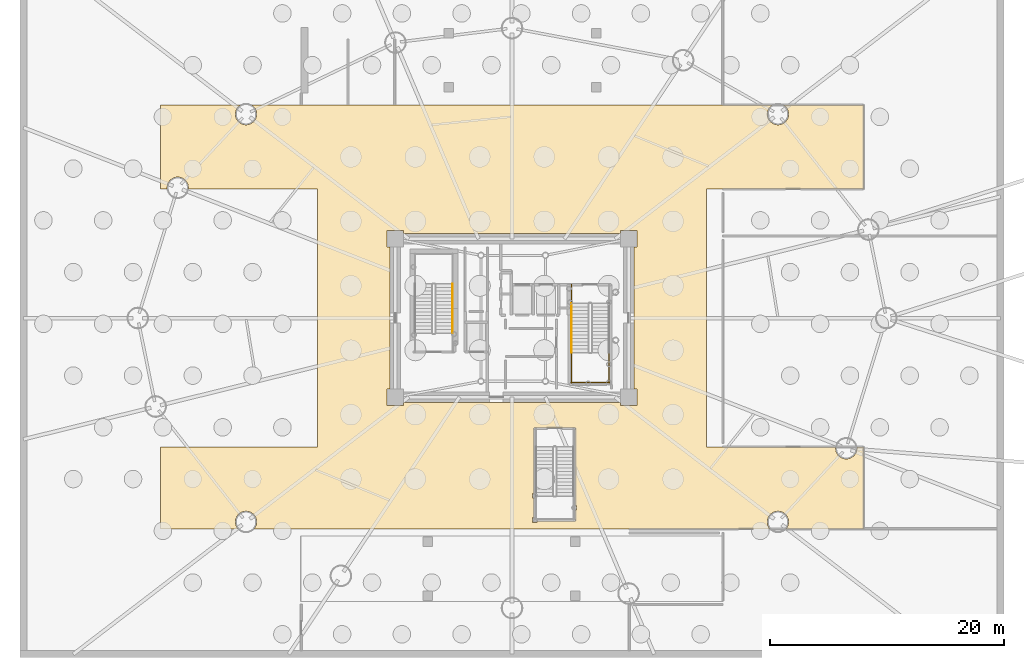
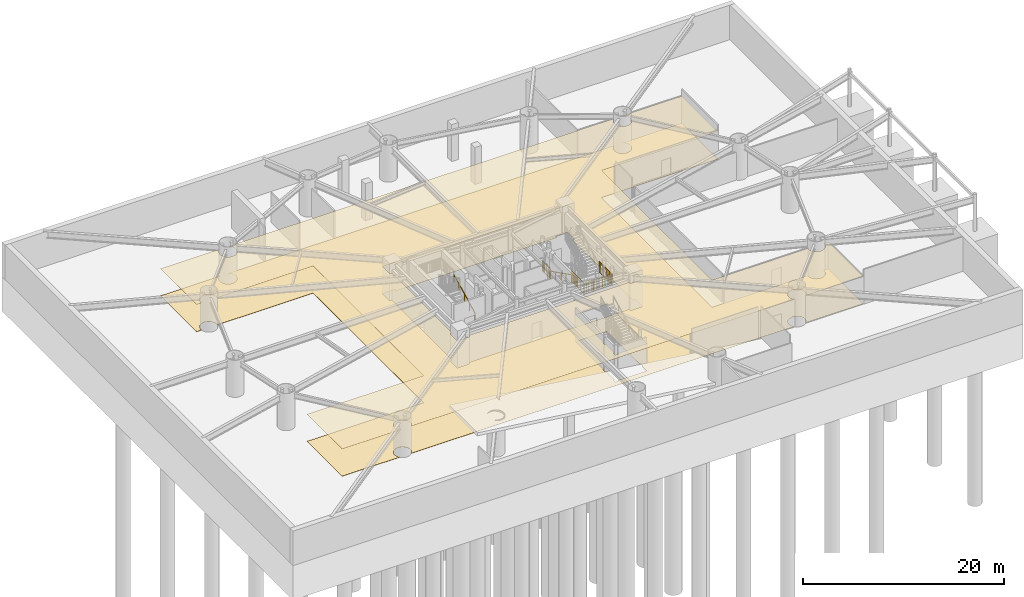
# One storey, part 15 of 18: 6 railings, 2 coverings.
"""IFC4 building model written with IfcOpenShell, lengths in metres."""

from ifc_helpers import new_model, si_unit, direction, frame, origin, origin_2d, place, context, subcontext, project, spatial, polyline, rectangle, outline, extrude, source, transform, mapped, material, layer, layer_set, type_object, element, save


model = new_model("IFC4")

# Units and contexts
model_context = context("Model", 3, precision=1e-05, world=origin(), true_north=direction((0.0, 1.0)))
body_context = subcontext(model_context, "Body", "Model", "MODEL_VIEW")
ifc_project = project(units=[si_unit("LENGTHUNIT", "METRE"), si_unit("AREAUNIT", "SQUARE_METRE"), si_unit("VOLUMEUNIT", "CUBIC_METRE"), si_unit("PLANEANGLEUNIT", "RADIAN"), si_unit("MASSUNIT", "GRAM", prefix="KILO")], contexts=[model_context])

# Site, building, storey
site_placement = place(None, origin())
site = spatial("IfcSite", under=ifc_project, at=site_placement, CompositionType="ELEMENT")
building_placement = place(site_placement, origin())
building = spatial("IfcBuilding", under=site, at=building_placement, Name="Linh Dai School and Residence Tower", CompositionType="ELEMENT")
storey_placement = place(building_placement, frame((0.0, 0.0, -9.0)))
storey = spatial("IfcBuildingStorey", under=building, at=storey_placement, Name="B02", CompositionType="ELEMENT", Elevation=-9.0)

# Coverings
ifc_material_1 = material(Name="Mineral Fibre Acoustic Suspended Ceiling", Category="masonry")
ifc_layer_1 = layer(ifc_material_1, 0.02001953125)
ifc_layer_set_1 = layer_set([ifc_layer_1], Name="Mineral Fibre Acoustic Suspended Ceiling")
covering_type_1 = type_object("IfcCoveringType", Name="COV-CEIL-AC-20", PredefinedType="CEILING", material=ifc_layer_set_1)
covering_1_placement = place(storey_placement, frame((0.0, 0.0, 3.300048828125)))
element("IfcCovering", 1, at=covering_1_placement, inside=storey, type_object=covering_type_1, Name="B02 Two-Way Basement Car Park Drive Aisle and Parking Loop Suspended Ceiling", PredefinedType="CEILING", context=body_context, shape_type="SweptSolid", body=[
    extrude(outline(polyline([(12.851318359375, 45.199951171875), (12.64990234375, 45.04541015625), (12.5048828125, 44.856689453125), (12.413818359375, 44.63671875), (12.3828125, 44.400634765625), (12.413818359375, 44.16455078125), (12.5048828125, 43.944580078125), (12.64990234375, 43.755859375), (12.8388671875, 43.61083984375), (13.05859375, 43.519775390625), (13.294921875, 43.488525390625), (13.53076171875, 43.519775390625), (13.750732421875, 43.61083984375), (13.939697265625, 43.755859375), (14.084716796875, 43.944580078125), (14.17578125, 44.16455078125), (14.206787109375, 44.400634765625), (14.17578125, 44.63671875), (14.084716796875, 44.856689453125), (13.939697265625, 45.04541015625), (13.73828125, 45.199951171875), (58.26171875, 45.199951171875), (58.060302734375, 45.04541015625), (57.915283203125, 44.856689453125), (57.82421875, 44.63671875), (57.793212890625, 44.400634765625), (57.82421875, 44.16455078125), (57.915283203125, 43.944580078125), (58.060302734375, 43.755859375), (58.249267578125, 43.61083984375), (58.46923828125, 43.519775390625), (58.705078125, 43.488525390625), (58.94140625, 43.519775390625), (59.1611328125, 43.61083984375), (59.35009765625, 43.755859375), (59.4951171875, 43.944580078125), (59.586181640625, 44.16455078125), (59.6171875, 44.400634765625), (59.586181640625, 44.63671875), (59.4951171875, 44.856689453125), (59.35009765625, 45.04541015625), (59.148681640625, 45.199951171875), (66.0, 45.199951171875), (66.0, 38.0), (52.60009765625, 38.0), (52.60009765625, 16.0), (63.6376953125, 16.0), (63.62158203125, 15.8779296875), (63.652587890625, 15.641845703125), (63.743896484375, 15.421875), (63.888916015625, 15.233154296875), (64.07763671875, 15.088134765625), (64.297607421875, 14.9970703125), (64.53369140625, 14.9658203125), (64.769775390625, 14.9970703125), (64.98974609375, 15.088134765625), (65.178466796875, 15.233154296875), (65.323486328125, 15.421875), (65.41455078125, 15.641845703125), (65.44580078125, 15.8779296875), (65.4296875, 16.0), (66.0, 16.0), (66.0, 9.0), (59.385009765625, 9.0), (59.4951171875, 9.143310546875), (59.586181640625, 9.36328125), (59.6171875, 9.599365234375), (59.586181640625, 9.83544921875), (59.4951171875, 10.055419921875), (59.35009765625, 10.244140625), (59.1611328125, 10.38916015625), (58.94140625, 10.480224609375), (58.705078125, 10.511474609375), (58.46923828125, 10.480224609375), (58.249267578125, 10.38916015625), (58.060302734375, 10.244140625), (57.915283203125, 10.055419921875), (57.82421875, 9.83544921875), (57.793212890625, 9.599365234375), (57.82421875, 9.36328125), (57.915283203125, 9.143310546875), (58.025390625, 9.0), (13.974609375, 9.0), (14.084716796875, 9.143310546875), (14.17578125, 9.36328125), (14.206787109375, 9.599365234375), (14.17578125, 9.83544921875), (14.084716796875, 10.055419921875), (13.939697265625, 10.244140625), (13.750732421875, 10.38916015625), (13.53076171875, 10.480224609375), (13.294921875, 10.511474609375), (13.05859375, 10.480224609375), (12.8388671875, 10.38916015625), (12.64990234375, 10.244140625), (12.5048828125, 10.055419921875), (12.413818359375, 9.83544921875), (12.3828125, 9.599365234375), (12.413818359375, 9.36328125), (12.5048828125, 9.143310546875), (12.614990234375, 9.0), (6.0, 9.0), (6.0, 16.0), (19.39990234375, 16.0), (19.39990234375, 38.0), (8.3623046875, 38.0), (8.37841796875, 38.1220703125), (8.347412109375, 38.358154296875), (8.256103515625, 38.578125), (8.111083984375, 38.766845703125), (7.92236328125, 38.911865234375), (7.702392578125, 39.0029296875), (7.46630859375, 39.0341796875), (7.230224609375, 39.0029296875), (7.01025390625, 38.911865234375), (6.821533203125, 38.766845703125), (6.676513671875, 38.578125), (6.58544921875, 38.358154296875), (6.55419921875, 38.1220703125), (6.5703125, 38.0), (6.0, 38.0), (6.0, 45.199951171875), (12.851318359375, 45.199951171875)]), holes=[polyline([(45.25, 19.800048828125), (45.25, 19.550048828125), (46.64990234375, 19.550048828125), (46.64990234375, 20.949951171875), (46.39990234375, 20.949951171875), (46.39990234375, 33.050048828125), (46.64990234375, 33.050048828125), (46.64990234375, 34.449951171875), (45.25, 34.449951171875), (45.25, 34.199951171875), (26.75, 34.199951171875), (26.75, 34.449951171875), (25.35009765625, 34.449951171875), (25.35009765625, 33.050048828125), (25.60009765625, 33.050048828125), (25.60009765625, 20.949951171875), (25.35009765625, 20.949951171875), (25.35009765625, 19.550048828125), (26.75, 19.550048828125), (26.75, 19.800048828125), (45.25, 19.800048828125)]), polyline([(37.8798828125, 17.60009765625), (37.8798828125, 12.023193359375), (37.746826171875, 12.023193359375), (37.746826171875, 11.61669921875), (37.8798828125, 11.61669921875), (37.8798828125, 9.953125), (37.746826171875, 9.953125), (37.746826171875, 9.546875), (38.1533203125, 9.546875), (38.1533203125, 9.679931640625), (41.419921875, 9.679931640625), (41.419921875, 10.5966796875), (41.523193359375, 10.5966796875), (41.523193359375, 11.003173828125), (41.419921875, 11.003173828125), (41.419921875, 17.60009765625), (37.8798828125, 17.60009765625)])]), origin(), (0.0, 0.0, 1.0), 0.02001953125),
])
ifc_material_2 = material(Name="Polished Terrazzo Floor Finish", Category="masonry")
ifc_layer_2 = layer(ifc_material_2, 0.02490234375)
ifc_layer_set_2 = layer_set([ifc_layer_2], Name="Polished Terrazzo Floor Finish")
covering_type_2 = type_object("IfcCoveringType", Name="COV-FLR-TRZ-25", PredefinedType="FLOORING", material=ifc_layer_set_2)
covering_2_placement = place(storey_placement, origin())
element("IfcCovering", 2, at=covering_2_placement, inside=storey, type_object=covering_type_2, Name="B02 Two-Way Basement Car Park Drive Aisle and Parking Loop Floor Finish", PredefinedType="FLOORING", context=body_context, shape_type="SweptSolid", body=[
    extrude(outline(polyline([(12.851318359375, 45.199951171875), (12.64990234375, 45.04541015625), (12.5048828125, 44.856689453125), (12.413818359375, 44.63671875), (12.3828125, 44.400634765625), (12.413818359375, 44.16455078125), (12.5048828125, 43.944580078125), (12.64990234375, 43.755859375), (12.8388671875, 43.61083984375), (13.05859375, 43.519775390625), (13.294921875, 43.488525390625), (13.53076171875, 43.519775390625), (13.750732421875, 43.61083984375), (13.939697265625, 43.755859375), (14.084716796875, 43.944580078125), (14.17578125, 44.16455078125), (14.206787109375, 44.400634765625), (14.17578125, 44.63671875), (14.084716796875, 44.856689453125), (13.939697265625, 45.04541015625), (13.73828125, 45.199951171875), (58.26171875, 45.199951171875), (58.060302734375, 45.04541015625), (57.915283203125, 44.856689453125), (57.82421875, 44.63671875), (57.793212890625, 44.400634765625), (57.82421875, 44.16455078125), (57.915283203125, 43.944580078125), (58.060302734375, 43.755859375), (58.249267578125, 43.61083984375), (58.46923828125, 43.519775390625), (58.705078125, 43.488525390625), (58.94140625, 43.519775390625), (59.1611328125, 43.61083984375), (59.35009765625, 43.755859375), (59.4951171875, 43.944580078125), (59.586181640625, 44.16455078125), (59.6171875, 44.400634765625), (59.586181640625, 44.63671875), (59.4951171875, 44.856689453125), (59.35009765625, 45.04541015625), (59.148681640625, 45.199951171875), (66.0, 45.199951171875), (66.0, 38.0), (52.60009765625, 38.0), (52.60009765625, 16.0), (63.6376953125, 16.0), (63.62158203125, 15.8779296875), (63.652587890625, 15.641845703125), (63.743896484375, 15.421875), (63.888916015625, 15.233154296875), (64.07763671875, 15.088134765625), (64.297607421875, 14.9970703125), (64.53369140625, 14.9658203125), (64.769775390625, 14.9970703125), (64.98974609375, 15.088134765625), (65.178466796875, 15.233154296875), (65.323486328125, 15.421875), (65.41455078125, 15.641845703125), (65.44580078125, 15.8779296875), (65.4296875, 16.0), (66.0, 16.0), (66.0, 9.0), (59.385009765625, 9.0), (59.4951171875, 9.143310546875), (59.586181640625, 9.36328125), (59.6171875, 9.599365234375), (59.586181640625, 9.83544921875), (59.4951171875, 10.055419921875), (59.35009765625, 10.244140625), (59.1611328125, 10.38916015625), (58.94140625, 10.480224609375), (58.705078125, 10.511474609375), (58.46923828125, 10.480224609375), (58.249267578125, 10.38916015625), (58.060302734375, 10.244140625), (57.915283203125, 10.055419921875), (57.82421875, 9.83544921875), (57.793212890625, 9.599365234375), (57.82421875, 9.36328125), (57.915283203125, 9.143310546875), (58.025390625, 9.0), (13.974609375, 9.0), (14.084716796875, 9.143310546875), (14.17578125, 9.36328125), (14.206787109375, 9.599365234375), (14.17578125, 9.83544921875), (14.084716796875, 10.055419921875), (13.939697265625, 10.244140625), (13.750732421875, 10.38916015625), (13.53076171875, 10.480224609375), (13.294921875, 10.511474609375), (13.05859375, 10.480224609375), (12.8388671875, 10.38916015625), (12.64990234375, 10.244140625), (12.5048828125, 10.055419921875), (12.413818359375, 9.83544921875), (12.3828125, 9.599365234375), (12.413818359375, 9.36328125), (12.5048828125, 9.143310546875), (12.614990234375, 9.0), (6.0, 9.0), (6.0, 16.0), (19.39990234375, 16.0), (19.39990234375, 38.0), (8.3623046875, 38.0), (8.37841796875, 38.1220703125), (8.347412109375, 38.358154296875), (8.256103515625, 38.578125), (8.111083984375, 38.766845703125), (7.92236328125, 38.911865234375), (7.702392578125, 39.0029296875), (7.46630859375, 39.0341796875), (7.230224609375, 39.0029296875), (7.01025390625, 38.911865234375), (6.821533203125, 38.766845703125), (6.676513671875, 38.578125), (6.58544921875, 38.358154296875), (6.55419921875, 38.1220703125), (6.5703125, 38.0), (6.0, 38.0), (6.0, 45.199951171875), (12.851318359375, 45.199951171875)]), holes=[polyline([(45.25, 19.800048828125), (45.25, 19.550048828125), (46.64990234375, 19.550048828125), (46.64990234375, 20.949951171875), (46.39990234375, 20.949951171875), (46.39990234375, 33.050048828125), (46.64990234375, 33.050048828125), (46.64990234375, 34.449951171875), (45.25, 34.449951171875), (45.25, 34.199951171875), (26.75, 34.199951171875), (26.75, 34.449951171875), (25.35009765625, 34.449951171875), (25.35009765625, 33.050048828125), (25.60009765625, 33.050048828125), (25.60009765625, 20.949951171875), (25.35009765625, 20.949951171875), (25.35009765625, 19.550048828125), (26.75, 19.550048828125), (26.75, 19.800048828125), (45.25, 19.800048828125)]), polyline([(37.8798828125, 17.60009765625), (37.8798828125, 12.023193359375), (37.746826171875, 12.023193359375), (37.746826171875, 11.61669921875), (37.8798828125, 11.61669921875), (37.8798828125, 9.953125), (37.746826171875, 9.953125), (37.746826171875, 9.546875), (38.1533203125, 9.546875), (38.1533203125, 9.679931640625), (41.419921875, 9.679931640625), (41.419921875, 10.5966796875), (41.523193359375, 10.5966796875), (41.523193359375, 11.003173828125), (41.419921875, 11.003173828125), (41.419921875, 17.60009765625), (37.8798828125, 17.60009765625)])]), origin(), (0.0, 0.0, 1.0), 0.02001953125),
])

# Railings
ifc_material_3 = material(Name="Brushed Stainless Steel Handrail", Category="steel")
railing_type_1 = type_object("IfcRailingType", Name="RL-ST-HANDRAIL-900", PredefinedType="HANDRAIL", material=ifc_material_3)
shared_shape_1 = source(origin(), body_context, "Body", "SweptSolid", [
    extrude(rectangle(XDim=0.048095703125, YDim=0.048095703125, at=origin_2d()), frame((0.0, 0.0, 0.8759765625), z_axis=(0.0, 0.894416792377, 0.447234392142), x_axis=(-1.0, 0.0, 0.0)), (0.0, 0.0, 1.0), 4.69580078125),
    extrude(rectangle(XDim=0.0419921875, YDim=0.0419921875, at=origin_2d()), origin(), (0.0, 0.0, 1.0), 0.8759765625),
    extrude(rectangle(XDim=0.0419921875, YDim=0.0419921875, at=origin_2d()), frame((0.0, 1.050048828125, 0.52490234375)), (0.0, 0.0, 1.0), 0.8759765625),
    extrude(rectangle(XDim=0.0419921875, YDim=0.0419921875, at=origin_2d()), frame((0.0, 2.10009765625, 1.050048828125)), (0.0, 0.0, 1.0), 0.8759765625),
    extrude(rectangle(XDim=0.0419921875, YDim=0.0419921875, at=origin_2d()), frame((0.0, 3.14990234375, 1.5751953125)), (0.0, 0.0, 1.0), 0.8759765625),
    extrude(rectangle(XDim=0.0419921875, YDim=0.0419921875, at=origin_2d()), frame((0.0, 4.199951171875, 2.10009765625)), (0.0, 0.0, 1.0), 0.8759765625),
])
railing_1_placement = place(storey_placement, frame((30.929931640625, 25.699951171875, 0.14990234375)))
element("IfcRailing", 3, at=railing_1_placement, inside=storey, type_object=railing_type_1, Name="B02 ST1 stair handrail 1", PredefinedType="HANDRAIL", context=body_context, shape_type="MappedRepresentation", body=[
    mapped(shared_shape_1, transform((0.0, 0.0, 0.0), x_axis=(1.0, 0.0, 0.0), y_axis=(0.0, 1.0, 0.0), z_axis=(0.0, 0.0, 1.0), scale=1.0)),
])
shared_shape_2 = source(origin(), body_context, "Body", "SweptSolid", [
    extrude(rectangle(XDim=0.048095703125, YDim=0.048095703125, at=origin_2d()), frame((0.0, 0.0, 0.8759765625), z_axis=(0.0, -0.894416792377, 0.447234392142), x_axis=(1.0, 0.0, 0.0)), (0.0, 0.0, 1.0), 4.69580078125),
    extrude(rectangle(XDim=0.0419921875, YDim=0.0419921875, at=origin_2d()), origin(), (0.0, 0.0, 1.0), 0.8759765625),
    extrude(rectangle(XDim=0.0419921875, YDim=0.0419921875, at=origin_2d()), frame((0.0, -1.050048828125, 0.52490234375)), (0.0, 0.0, 1.0), 0.8759765625),
    extrude(rectangle(XDim=0.0419921875, YDim=0.0419921875, at=origin_2d()), frame((0.0, -2.10009765625, 1.050048828125)), (0.0, 0.0, 1.0), 0.8759765625),
    extrude(rectangle(XDim=0.0419921875, YDim=0.0419921875, at=origin_2d()), frame((0.0, -3.14990234375, 1.5751953125)), (0.0, 0.0, 1.0), 0.8759765625),
    extrude(rectangle(XDim=0.0419921875, YDim=0.0419921875, at=origin_2d()), frame((0.0, -4.199951171875, 2.10009765625)), (0.0, 0.0, 1.0), 0.8759765625),
])
railing_2_placement = place(storey_placement, frame((41.070068359375, 28.25, 0.14990234375)))
element("IfcRailing", 4, at=railing_2_placement, inside=storey, type_object=railing_type_1, Name="B02 ST2 stair handrail 1", PredefinedType="HANDRAIL", context=body_context, shape_type="MappedRepresentation", body=[
    mapped(shared_shape_2, transform((0.0, 0.0, 0.0), x_axis=(1.0, 0.0, 0.0), y_axis=(0.0, 1.0, 0.0), z_axis=(0.0, 0.0, 1.0), scale=1.0)),
])
ifc_material_4 = material(Name="Structural Steel S355JR", Category="steel")
railing_type_2 = type_object("IfcRailingType", Name="RL-ST-GUARD-1400", PredefinedType="GUARDRAIL", material=ifc_material_4)
shared_shape_3 = source(origin(), body_context, "Body", "SweptSolid", [
    extrude(rectangle(XDim=0.048095703125, YDim=0.048095703125, at=origin_2d()), frame((0.0, 0.0, 1.3759765625), z_axis=(0.0, -1.0, 0.0), x_axis=(1.0, 0.0, 0.0)), (0.0, 0.0, 1.0), 2.60009765625),
    extrude(rectangle(XDim=0.048095703125, YDim=0.048095703125, at=origin_2d()), frame((0.0, 0.0, 0.10009765625), z_axis=(0.0, -1.0, 0.0), x_axis=(1.0, 0.0, 0.0)), (0.0, 0.0, 1.0), 2.60009765625),
    extrude(rectangle(XDim=0.030029296875, YDim=0.030029296875, at=origin_2d()), frame((0.0, 0.0, 1.239990234375), z_axis=(0.0, -1.0, 0.0), x_axis=(1.0, 0.0, 0.0)), (0.0, 0.0, 1.0), 2.60009765625),
    extrude(rectangle(XDim=0.02001953125, YDim=0.02001953125, at=origin_2d()), frame((0.0, -0.09619140625, 0.10009765625)), (0.0, 0.0, 1.0), 1.251708984375),
    extrude(rectangle(XDim=0.02001953125, YDim=0.02001953125, at=origin_2d()), frame((0.0, -0.192626953125, 0.10009765625)), (0.0, 0.0, 1.0), 1.251708984375),
    extrude(rectangle(XDim=0.02001953125, YDim=0.02001953125, at=origin_2d()), frame((0.0, -0.288818359375, 0.10009765625)), (0.0, 0.0, 1.0), 1.251708984375),
    extrude(rectangle(XDim=0.02001953125, YDim=0.02001953125, at=origin_2d()), frame((0.0, -0.38525390625, 0.10009765625)), (0.0, 0.0, 1.0), 1.251708984375),
    extrude(rectangle(XDim=0.02001953125, YDim=0.02001953125, at=origin_2d()), frame((0.0, -0.4814453125, 0.10009765625)), (0.0, 0.0, 1.0), 1.251708984375),
    extrude(rectangle(XDim=0.02001953125, YDim=0.02001953125, at=origin_2d()), frame((0.0, -0.577880859375, 0.10009765625)), (0.0, 0.0, 1.0), 1.251708984375),
    extrude(rectangle(XDim=0.02001953125, YDim=0.02001953125, at=origin_2d()), frame((0.0, -0.674072265625, 0.10009765625)), (0.0, 0.0, 1.0), 1.251708984375),
    extrude(rectangle(XDim=0.02001953125, YDim=0.02001953125, at=origin_2d()), frame((0.0, -0.7705078125, 0.10009765625)), (0.0, 0.0, 1.0), 1.251708984375),
    extrude(rectangle(XDim=0.02001953125, YDim=0.02001953125, at=origin_2d()), frame((0.0, -0.962890625, 0.10009765625)), (0.0, 0.0, 1.0), 1.251708984375),
    extrude(rectangle(XDim=0.02001953125, YDim=0.02001953125, at=origin_2d()), frame((0.0, -1.059326171875, 0.10009765625)), (0.0, 0.0, 1.0), 1.251708984375),
    extrude(rectangle(XDim=0.02001953125, YDim=0.02001953125, at=origin_2d()), frame((0.0, -1.155517578125, 0.10009765625)), (0.0, 0.0, 1.0), 1.251708984375),
    extrude(rectangle(XDim=0.02001953125, YDim=0.02001953125, at=origin_2d()), frame((0.0, -1.251953125, 0.10009765625)), (0.0, 0.0, 1.0), 1.251708984375),
    extrude(rectangle(XDim=0.02001953125, YDim=0.02001953125, at=origin_2d()), frame((0.0, -1.34814453125, 0.10009765625)), (0.0, 0.0, 1.0), 1.251708984375),
    extrude(rectangle(XDim=0.02001953125, YDim=0.02001953125, at=origin_2d()), frame((0.0, -1.444580078125, 0.10009765625)), (0.0, 0.0, 1.0), 1.251708984375),
    extrude(rectangle(XDim=0.02001953125, YDim=0.02001953125, at=origin_2d()), frame((0.0, -1.540771484375, 0.10009765625)), (0.0, 0.0, 1.0), 1.251708984375),
    extrude(rectangle(XDim=0.02001953125, YDim=0.02001953125, at=origin_2d()), frame((0.0, -1.63720703125, 0.10009765625)), (0.0, 0.0, 1.0), 1.251708984375),
    extrude(rectangle(XDim=0.02001953125, YDim=0.02001953125, at=origin_2d()), frame((0.0, -1.82958984375, 0.10009765625)), (0.0, 0.0, 1.0), 1.251708984375),
    extrude(rectangle(XDim=0.02001953125, YDim=0.02001953125, at=origin_2d()), frame((0.0, -1.926025390625, 0.10009765625)), (0.0, 0.0, 1.0), 1.251708984375),
    extrude(rectangle(XDim=0.02001953125, YDim=0.02001953125, at=origin_2d()), frame((0.0, -2.022216796875, 0.10009765625)), (0.0, 0.0, 1.0), 1.251708984375),
    extrude(rectangle(XDim=0.02001953125, YDim=0.02001953125, at=origin_2d()), frame((0.0, -2.11865234375, 0.10009765625)), (0.0, 0.0, 1.0), 1.251708984375),
    extrude(rectangle(XDim=0.02001953125, YDim=0.02001953125, at=origin_2d()), frame((0.0, -2.21484375, 0.10009765625)), (0.0, 0.0, 1.0), 1.251708984375),
    extrude(rectangle(XDim=0.02001953125, YDim=0.02001953125, at=origin_2d()), frame((0.0, -2.311279296875, 0.10009765625)), (0.0, 0.0, 1.0), 1.251708984375),
    extrude(rectangle(XDim=0.02001953125, YDim=0.02001953125, at=origin_2d()), frame((0.0, -2.407470703125, 0.10009765625)), (0.0, 0.0, 1.0), 1.251708984375),
    extrude(rectangle(XDim=0.02001953125, YDim=0.02001953125, at=origin_2d()), frame((0.0, -2.50390625, 0.10009765625)), (0.0, 0.0, 1.0), 1.251708984375),
    extrude(rectangle(XDim=0.0419921875, YDim=0.0419921875, at=origin_2d()), origin(), (0.0, 0.0, 1.0), 1.3759765625),
    extrude(rectangle(XDim=0.0419921875, YDim=0.0419921875, at=origin_2d()), frame((0.0, -0.86669921875, 0.0)), (0.0, 0.0, 1.0), 1.3759765625),
    extrude(rectangle(XDim=0.0419921875, YDim=0.0419921875, at=origin_2d()), frame((0.0, -1.7333984375, 0.0)), (0.0, 0.0, 1.0), 1.3759765625),
    extrude(rectangle(XDim=0.0419921875, YDim=0.0419921875, at=origin_2d()), frame((0.0, -2.60009765625, 0.0)), (0.0, 0.0, 1.0), 1.3759765625),
])
for number, where, name in (
    (5, (41.070068359375, 24.050048828125, 2.25), "B02 ST2 stair guard 3"),
    (6, (44.27001953125, 24.050048828125, 2.25), "B02 ST2 stair guard 4"),
):
    element("IfcRailing", number, at=place(storey_placement, frame(where)), inside=storey, type_object=railing_type_2, Name=name, PredefinedType="GUARDRAIL", context=body_context, shape_type="MappedRepresentation", body=[
        mapped(shared_shape_3, transform((0.0, 0.0, 0.0), x_axis=(1.0, 0.0, 0.0), y_axis=(0.0, 1.0, 0.0), z_axis=(0.0, 0.0, 1.0), scale=1.0)),
    ])
shared_shape_4 = source(origin(), body_context, "Body", "SweptSolid", [
    extrude(rectangle(XDim=0.048095703125, YDim=0.048095703125, at=origin_2d()), frame((0.0, 0.0, 1.3759765625), z_axis=(1.0, 0.0, 0.0), x_axis=(0.0, 1.0, 0.0)), (0.0, 0.0, 1.0), 3.300048828125),
    extrude(rectangle(XDim=0.048095703125, YDim=0.048095703125, at=origin_2d()), frame((0.0, 0.0, 0.10009765625), z_axis=(1.0, 0.0, 0.0), x_axis=(0.0, 1.0, 0.0)), (0.0, 0.0, 1.0), 3.300048828125),
    extrude(rectangle(XDim=0.030029296875, YDim=0.030029296875, at=origin_2d()), frame((0.0, 0.0, 1.239990234375), z_axis=(1.0, 0.0, 0.0), x_axis=(0.0, 1.0, 0.0)), (0.0, 0.0, 1.0), 3.300048828125),
    extrude(rectangle(XDim=0.02001953125, YDim=0.02001953125, at=origin_2d()), frame((0.09716796875, 0.0, 0.10009765625)), (0.0, 0.0, 1.0), 1.251708984375),
    extrude(rectangle(XDim=0.02001953125, YDim=0.02001953125, at=origin_2d()), frame((0.194091796875, 0.0, 0.10009765625)), (0.0, 0.0, 1.0), 1.251708984375),
    extrude(rectangle(XDim=0.02001953125, YDim=0.02001953125, at=origin_2d()), frame((0.291259765625, 0.0, 0.10009765625)), (0.0, 0.0, 1.0), 1.251708984375),
    extrude(rectangle(XDim=0.02001953125, YDim=0.02001953125, at=origin_2d()), frame((0.38818359375, 0.0, 0.10009765625)), (0.0, 0.0, 1.0), 1.251708984375),
    extrude(rectangle(XDim=0.02001953125, YDim=0.02001953125, at=origin_2d()), frame((0.4853515625, 0.0, 0.10009765625)), (0.0, 0.0, 1.0), 1.251708984375),
    extrude(rectangle(XDim=0.02001953125, YDim=0.02001953125, at=origin_2d()), frame((0.582275390625, 0.0, 0.10009765625)), (0.0, 0.0, 1.0), 1.251708984375),
    extrude(rectangle(XDim=0.02001953125, YDim=0.02001953125, at=origin_2d()), frame((0.679443359375, 0.0, 0.10009765625)), (0.0, 0.0, 1.0), 1.251708984375),
    extrude(rectangle(XDim=0.02001953125, YDim=0.02001953125, at=origin_2d()), frame((0.7763671875, 0.0, 0.10009765625)), (0.0, 0.0, 1.0), 1.251708984375),
    extrude(rectangle(XDim=0.02001953125, YDim=0.02001953125, at=origin_2d()), frame((0.87353515625, 0.0, 0.10009765625)), (0.0, 0.0, 1.0), 1.251708984375),
    extrude(rectangle(XDim=0.02001953125, YDim=0.02001953125, at=origin_2d()), frame((0.970703125, 0.0, 0.10009765625)), (0.0, 0.0, 1.0), 1.251708984375),
    extrude(rectangle(XDim=0.02001953125, YDim=0.02001953125, at=origin_2d()), frame((1.164794921875, 0.0, 0.10009765625)), (0.0, 0.0, 1.0), 1.251708984375),
    extrude(rectangle(XDim=0.02001953125, YDim=0.02001953125, at=origin_2d()), frame((1.26171875, 0.0, 0.10009765625)), (0.0, 0.0, 1.0), 1.251708984375),
    extrude(rectangle(XDim=0.02001953125, YDim=0.02001953125, at=origin_2d()), frame((1.35888671875, 0.0, 0.10009765625)), (0.0, 0.0, 1.0), 1.251708984375),
    extrude(rectangle(XDim=0.02001953125, YDim=0.02001953125, at=origin_2d()), frame((1.455810546875, 0.0, 0.10009765625)), (0.0, 0.0, 1.0), 1.251708984375),
    extrude(rectangle(XDim=0.02001953125, YDim=0.02001953125, at=origin_2d()), frame((1.552978515625, 0.0, 0.10009765625)), (0.0, 0.0, 1.0), 1.251708984375),
    extrude(rectangle(XDim=0.02001953125, YDim=0.02001953125, at=origin_2d()), frame((1.64990234375, 0.0, 0.10009765625)), (0.0, 0.0, 1.0), 1.251708984375),
    extrude(rectangle(XDim=0.02001953125, YDim=0.02001953125, at=origin_2d()), frame((1.7470703125, 0.0, 0.10009765625)), (0.0, 0.0, 1.0), 1.251708984375),
    extrude(rectangle(XDim=0.02001953125, YDim=0.02001953125, at=origin_2d()), frame((1.84423828125, 0.0, 0.10009765625)), (0.0, 0.0, 1.0), 1.251708984375),
    extrude(rectangle(XDim=0.02001953125, YDim=0.02001953125, at=origin_2d()), frame((1.941162109375, 0.0, 0.10009765625)), (0.0, 0.0, 1.0), 1.251708984375),
    extrude(rectangle(XDim=0.02001953125, YDim=0.02001953125, at=origin_2d()), frame((2.038330078125, 0.0, 0.10009765625)), (0.0, 0.0, 1.0), 1.251708984375),
    extrude(rectangle(XDim=0.02001953125, YDim=0.02001953125, at=origin_2d()), frame((2.13525390625, 0.0, 0.10009765625)), (0.0, 0.0, 1.0), 1.251708984375),
    extrude(rectangle(XDim=0.02001953125, YDim=0.02001953125, at=origin_2d()), frame((2.329345703125, 0.0, 0.10009765625)), (0.0, 0.0, 1.0), 1.251708984375),
    extrude(rectangle(XDim=0.02001953125, YDim=0.02001953125, at=origin_2d()), frame((2.426513671875, 0.0, 0.10009765625)), (0.0, 0.0, 1.0), 1.251708984375),
    extrude(rectangle(XDim=0.02001953125, YDim=0.02001953125, at=origin_2d()), frame((2.523681640625, 0.0, 0.10009765625)), (0.0, 0.0, 1.0), 1.251708984375),
    extrude(rectangle(XDim=0.02001953125, YDim=0.02001953125, at=origin_2d()), frame((2.62060546875, 0.0, 0.10009765625)), (0.0, 0.0, 1.0), 1.251708984375),
    extrude(rectangle(XDim=0.02001953125, YDim=0.02001953125, at=origin_2d()), frame((2.7177734375, 0.0, 0.10009765625)), (0.0, 0.0, 1.0), 1.251708984375),
    extrude(rectangle(XDim=0.02001953125, YDim=0.02001953125, at=origin_2d()), frame((2.814697265625, 0.0, 0.10009765625)), (0.0, 0.0, 1.0), 1.251708984375),
    extrude(rectangle(XDim=0.02001953125, YDim=0.02001953125, at=origin_2d()), frame((2.911865234375, 0.0, 0.10009765625)), (0.0, 0.0, 1.0), 1.251708984375),
    extrude(rectangle(XDim=0.02001953125, YDim=0.02001953125, at=origin_2d()), frame((3.0087890625, 0.0, 0.10009765625)), (0.0, 0.0, 1.0), 1.251708984375),
    extrude(rectangle(XDim=0.02001953125, YDim=0.02001953125, at=origin_2d()), frame((3.10595703125, 0.0, 0.10009765625)), (0.0, 0.0, 1.0), 1.251708984375),
    extrude(rectangle(XDim=0.02001953125, YDim=0.02001953125, at=origin_2d()), frame((3.202880859375, 0.0, 0.10009765625)), (0.0, 0.0, 1.0), 1.251708984375),
    extrude(rectangle(XDim=0.0419921875, YDim=0.0419921875, at=origin_2d()), origin(), (0.0, 0.0, 1.0), 1.3759765625),
    extrude(rectangle(XDim=0.0419921875, YDim=0.0419921875, at=origin_2d()), frame((1.10009765625, 0.0, 0.0)), (0.0, 0.0, 1.0), 1.3759765625),
    extrude(rectangle(XDim=0.0419921875, YDim=0.0419921875, at=origin_2d()), frame((2.199951171875, 0.0, 0.0)), (0.0, 0.0, 1.0), 1.3759765625),
    extrude(rectangle(XDim=0.0419921875, YDim=0.0419921875, at=origin_2d()), frame((3.300048828125, 0.0, 0.0)), (0.0, 0.0, 1.0), 1.3759765625),
])
railing_3_placement = place(storey_placement, frame((41.02001953125, 21.5, 2.25)))
element("IfcRailing", 7, at=railing_3_placement, inside=storey, type_object=railing_type_2, Name="B02 ST2 stair guard 5", PredefinedType="GUARDRAIL", context=body_context, shape_type="MappedRepresentation", body=[
    mapped(shared_shape_4, transform((0.0, 0.0, 0.0), x_axis=(1.0, 0.0, 0.0), y_axis=(0.0, 1.0, 0.0), z_axis=(0.0, 0.0, 1.0), scale=1.0)),
])
shared_shape_5 = source(origin(), body_context, "Body", "SweptSolid", [
    extrude(rectangle(XDim=0.048095703125, YDim=0.048095703125, at=origin_2d()), frame((0.0, 0.0, 1.3759765625), z_axis=(0.0, -1.0, 0.0), x_axis=(1.0, 0.0, 0.0)), (0.0, 0.0, 1.0), 1.60009765625),
    extrude(rectangle(XDim=0.048095703125, YDim=0.048095703125, at=origin_2d()), frame((0.0, 0.0, 0.10009765625), z_axis=(0.0, -1.0, 0.0), x_axis=(1.0, 0.0, 0.0)), (0.0, 0.0, 1.0), 1.60009765625),
    extrude(rectangle(XDim=0.030029296875, YDim=0.030029296875, at=origin_2d()), frame((0.0, 0.0, 1.239990234375), z_axis=(0.0, -1.0, 0.0), x_axis=(1.0, 0.0, 0.0)), (0.0, 0.0, 1.0), 1.60009765625),
    extrude(rectangle(XDim=0.02001953125, YDim=0.02001953125, at=origin_2d()), frame((0.0, -0.09423828125, 0.10009765625)), (0.0, 0.0, 1.0), 1.251708984375),
    extrude(rectangle(XDim=0.02001953125, YDim=0.02001953125, at=origin_2d()), frame((0.0, -0.188232421875, 0.10009765625)), (0.0, 0.0, 1.0), 1.251708984375),
    extrude(rectangle(XDim=0.02001953125, YDim=0.02001953125, at=origin_2d()), frame((0.0, -0.282470703125, 0.10009765625)), (0.0, 0.0, 1.0), 1.251708984375),
    extrude(rectangle(XDim=0.02001953125, YDim=0.02001953125, at=origin_2d()), frame((0.0, -0.37646484375, 0.10009765625)), (0.0, 0.0, 1.0), 1.251708984375),
    extrude(rectangle(XDim=0.02001953125, YDim=0.02001953125, at=origin_2d()), frame((0.0, -0.470703125, 0.10009765625)), (0.0, 0.0, 1.0), 1.251708984375),
    extrude(rectangle(XDim=0.02001953125, YDim=0.02001953125, at=origin_2d()), frame((0.0, -0.564697265625, 0.10009765625)), (0.0, 0.0, 1.0), 1.251708984375),
    extrude(rectangle(XDim=0.02001953125, YDim=0.02001953125, at=origin_2d()), frame((0.0, -0.658935546875, 0.10009765625)), (0.0, 0.0, 1.0), 1.251708984375),
    extrude(rectangle(XDim=0.02001953125, YDim=0.02001953125, at=origin_2d()), frame((0.0, -0.7529296875, 0.10009765625)), (0.0, 0.0, 1.0), 1.251708984375),
    extrude(rectangle(XDim=0.02001953125, YDim=0.02001953125, at=origin_2d()), frame((0.0, -0.84716796875, 0.10009765625)), (0.0, 0.0, 1.0), 1.251708984375),
    extrude(rectangle(XDim=0.02001953125, YDim=0.02001953125, at=origin_2d()), frame((0.0, -0.941162109375, 0.10009765625)), (0.0, 0.0, 1.0), 1.251708984375),
    extrude(rectangle(XDim=0.02001953125, YDim=0.02001953125, at=origin_2d()), frame((0.0, -1.035400390625, 0.10009765625)), (0.0, 0.0, 1.0), 1.251708984375),
    extrude(rectangle(XDim=0.02001953125, YDim=0.02001953125, at=origin_2d()), frame((0.0, -1.12939453125, 0.10009765625)), (0.0, 0.0, 1.0), 1.251708984375),
    extrude(rectangle(XDim=0.02001953125, YDim=0.02001953125, at=origin_2d()), frame((0.0, -1.2236328125, 0.10009765625)), (0.0, 0.0, 1.0), 1.251708984375),
    extrude(rectangle(XDim=0.02001953125, YDim=0.02001953125, at=origin_2d()), frame((0.0, -1.317626953125, 0.10009765625)), (0.0, 0.0, 1.0), 1.251708984375),
    extrude(rectangle(XDim=0.02001953125, YDim=0.02001953125, at=origin_2d()), frame((0.0, -1.411865234375, 0.10009765625)), (0.0, 0.0, 1.0), 1.251708984375),
    extrude(rectangle(XDim=0.02001953125, YDim=0.02001953125, at=origin_2d()), frame((0.0, -1.505859375, 0.10009765625)), (0.0, 0.0, 1.0), 1.251708984375),
    extrude(rectangle(XDim=0.0419921875, YDim=0.0419921875, at=origin_2d()), origin(), (0.0, 0.0, 1.0), 1.3759765625),
    extrude(rectangle(XDim=0.0419921875, YDim=0.0419921875, at=origin_2d()), frame((0.0, -0.800048828125, 0.0)), (0.0, 0.0, 1.0), 1.3759765625),
    extrude(rectangle(XDim=0.0419921875, YDim=0.0419921875, at=origin_2d()), frame((0.0, -1.60009765625, 0.0)), (0.0, 0.0, 1.0), 1.3759765625),
])
railing_4_placement = place(storey_placement, frame((41.070068359375, 29.85009765625, 0.0)))
element("IfcRailing", 8, at=railing_4_placement, inside=storey, type_object=railing_type_2, Name="B02 ST2 stair guard 8", PredefinedType="GUARDRAIL", context=body_context, shape_type="MappedRepresentation", body=[
    mapped(shared_shape_5, transform((0.0, 0.0, 0.0), x_axis=(1.0, 0.0, 0.0), y_axis=(0.0, 1.0, 0.0), z_axis=(0.0, 0.0, 1.0), scale=1.0)),
])

save(model, "model.ifc")
